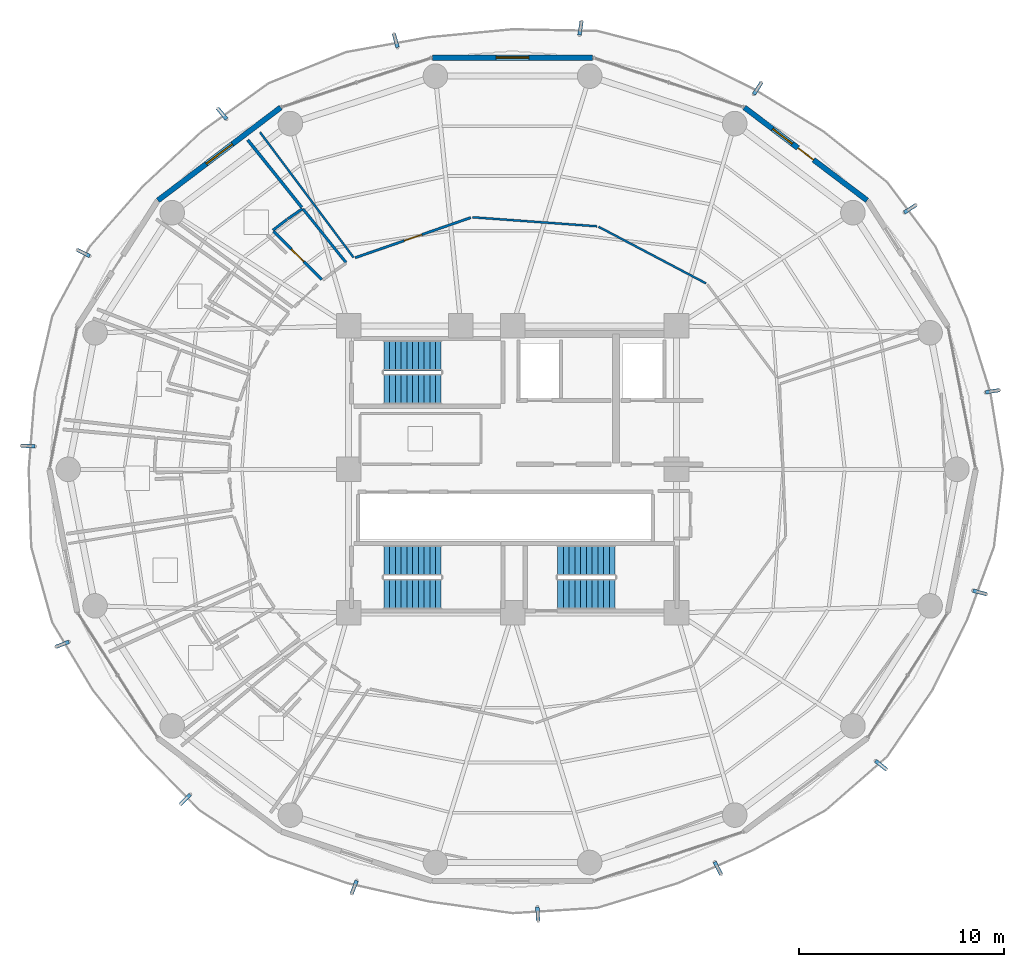
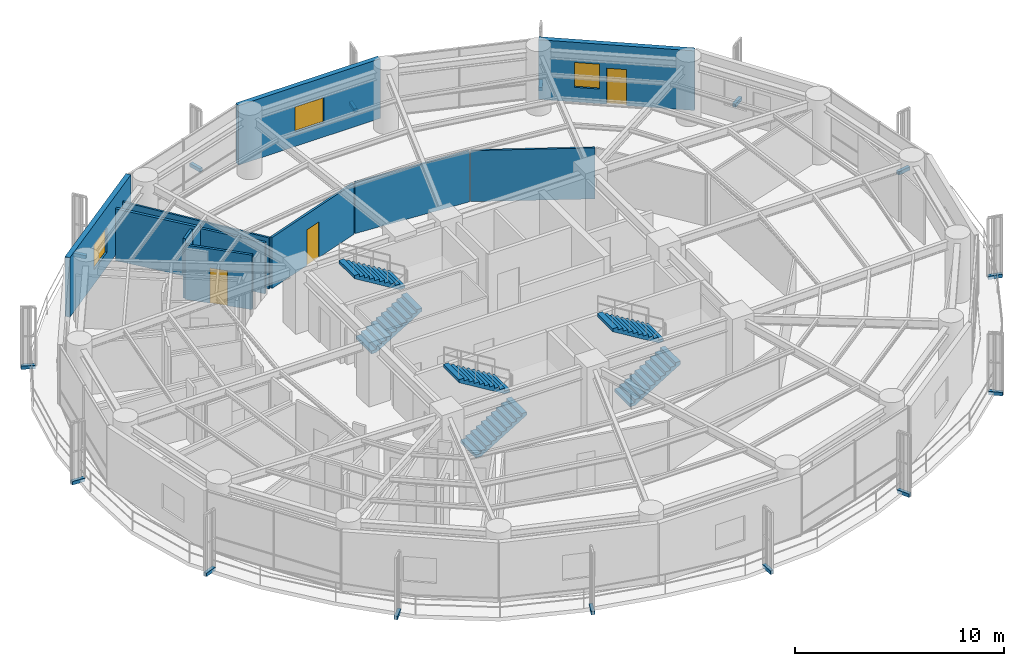
# One storey, part 24 of 27: 15 discrete accessories, 12 walls, 6 stair flights, 3 doors, 3 windows, 6 openings, 3 elements without a shape of their own.
"""IFC4 building model written with IfcOpenShell, lengths in metres."""

from ifc_helpers import new_model, si_unit, direction, frame, frame_2d, origin, origin_2d, place, context, subcontext, project, spatial, polyline, rectangle, outline, extrude, source, transform, mapped, material, layer, layer_set, type_object, element, fill, aggregate, save


model = new_model("IFC4")

# Units and contexts
model_context = context("Model", 3, precision=1e-05, world=origin(), true_north=direction((0.0, 1.0)))
body_context = subcontext(model_context, "Body", "Model", "MODEL_VIEW")
ifc_project = project(units=[si_unit("LENGTHUNIT", "METRE"), si_unit("AREAUNIT", "SQUARE_METRE"), si_unit("VOLUMEUNIT", "CUBIC_METRE"), si_unit("PLANEANGLEUNIT", "RADIAN"), si_unit("MASSUNIT", "GRAM", prefix="KILO")], contexts=[model_context])

# Site, building, storey
site_placement = place(None, origin())
site = spatial("IfcSite", under=ifc_project, at=site_placement, CompositionType="ELEMENT")
building_placement = place(site_placement, origin())
building = spatial("IfcBuilding", under=site, at=building_placement, Name="Kelanora Arch Commons", CompositionType="ELEMENT")
storey_placement = place(building_placement, frame((0.0, 0.0, 173.10009765625)))
storey = spatial("IfcBuildingStorey", under=building, at=storey_placement, Name="L44", CompositionType="ELEMENT", Elevation=173.10009765625)

# Wall
ifc_material_1 = material(Name="Autoclaved aerated concrete blockwork with fire plaster", Category="masonry")
ifc_layer_1 = layer(ifc_material_1, 0.14990234375)
ifc_layer_set_1 = layer_set([ifc_layer_1], Name="Autoclaved aerated concrete blockwork with fire plaster")
wall_type_1 = type_object("IfcWallType", Name="W-COMP-150", PredefinedType="PARTITIONING", material=ifc_layer_set_1)
wall_1_placement = place(storey_placement, frame((61.077880859375, 74.07275390625, 0.0), z_axis=(0.0, 0.0, 1.0), x_axis=(0.62540850869, -0.780297505608, 0.0)))
element("IfcWall", 1, at=wall_1_placement, inside=storey, type_object=wall_type_1, Name="Cluster Bedroom L44-01 Enclosure Partition 5", PredefinedType="PARTITIONING", context=body_context, shape_type="SweptSolid", body=[
    extrude(rectangle(XDim=4.21337890625, YDim=0.14990234375, at=frame_2d((2.106689453125, 0.0))), origin(), (0.0, 0.0, 1.0), 3.02490234375),
])

# Wall, openings, door, window
ifc_material_2 = material(Name="Precast concrete C40/50 with terracotta rainscreen", Category="masonry")
ifc_layer_2 = layer(ifc_material_2, 0.260009765625)
ifc_layer_set_2 = layer_set([ifc_layer_2], Name="Precast concrete C40/50 with terracotta rainscreen")
wall_type_2 = type_object("IfcWallType", Name="W-EXT-TC", PredefinedType="SOLIDWALL", material=ifc_layer_set_2)
wall_2_placement = place(storey_placement, frame((91.300537109375, 71.1220703125, 0.0), z_axis=(0.0, 0.0, 1.0), x_axis=(-0.797163719609, 0.603763202042, 0.0)))
wall_2 = element("IfcWall", 2, at=wall_2_placement, inside=storey, type_object=wall_type_2, Name="Terracotta Exterior Wall L44-B02", PredefinedType="SOLIDWALL", context=body_context, shape_type="SweptSolid", body=[
    extrude(rectangle(XDim=7.51220703125, YDim=0.260009765625, at=frame_2d((3.756103515625, 0.0))), origin(), (0.0, 0.0, 1.0), 3.474853515625),
])
opening_1_placement = place(wall_2_placement, frame((3.281005859375, 0.0, 0.0)))
opening_1 = element("IfcOpeningElement", 3, at=opening_1_placement, cuts=wall_2, Name="Opening DB-01", PredefinedType="OPENING", context=body_context, shape_type="SweptSolid", body=[
    extrude(rectangle(XDim=0.949951171875, YDim=2.10009765625, at=frame_2d((0.47509765625, 1.050048828125))), frame((0.0, 0.14013671875, 0.0), z_axis=(0.0, -1.0, 0.0), x_axis=(1.0, 0.0, 0.0)), (0.0, 0.0, 1.0), 0.280029296875),
])
opening_2_placement = place(wall_2_placement, frame((4.5810546875, 0.0, 0.85009765625)))
opening_2 = element("IfcOpeningElement", 4, at=opening_2_placement, cuts=wall_2, Name="Opening WN-02", PredefinedType="OPENING", context=body_context, shape_type="SweptSolid", body=[
    extrude(rectangle(XDim=1.199951171875, YDim=1.449951171875, at=frame_2d((0.60009765625, 0.72509765625))), frame((0.0, 0.14013671875, 0.0), z_axis=(0.0, -1.0, 0.0), x_axis=(1.0, 0.0, 0.0)), (0.0, 0.0, 1.0), 0.280029296875),
])
ifc_material_3 = material(Name="Terracotta-aluminium thermally broken glazed balcony door", Category="masonry")
door_type_1 = type_object("IfcDoorType", Name="D-BAL-10", OperationType="NOTDEFINED", PredefinedType="DOOR", material=ifc_material_3)
door_1_placement = place(opening_1_placement, frame((0.949951171875, 0.0, 0.0), z_axis=(0.0, 0.0, 1.0), x_axis=(-1.0, 0.0, 0.0)))
door_1 = element("IfcDoor", 5, at=door_1_placement, inside=storey, type_object=door_type_1, Name="Wave Balcony Door L44-B02", OperationType="SINGLE_SWING_LEFT", OverallHeight=2.10009765625, OverallWidth=0.949951171875, PredefinedType="DOOR", context=body_context, shape_type="SweptSolid", body=[
    extrude(rectangle(XDim=0.949951171875, YDim=2.10009765625, at=frame_2d((0.47509765625, 1.050048828125))), frame((0.0, 0.02490234375, 0.0), z_axis=(0.0, -1.0, 0.0), x_axis=(1.0, 0.0, 0.0)), (0.0, 0.0, 1.0), 0.050048828125),
])
fill(opening_1, door_1)
ifc_material_4 = material(Name="Terracotta-anodised aluminium frame with operable awning sash", Category="masonry")
window_type_1 = type_object("IfcWindowType", Name="WIN-CL-12", PartitioningType="SINGLE_PANEL", PredefinedType="WINDOW", material=ifc_material_4)
window_1_placement = place(opening_2_placement, origin())
window_1 = element("IfcWindow", 6, at=window_1_placement, inside=storey, type_object=window_type_1, Name="Co-Living Operable Window L44-B02", OverallHeight=1.449951171875, OverallWidth=1.199951171875, PartitioningType="SINGLE_PANEL", PredefinedType="WINDOW", context=body_context, shape_type="SweptSolid", body=[
    extrude(rectangle(XDim=1.199951171875, YDim=1.449951171875, at=frame_2d((0.60009765625, 0.72509765625))), frame((0.0, 0.030029296875, 0.0), z_axis=(0.0, -1.0, 0.0), x_axis=(1.0, 0.0, 0.0)), (0.0, 0.0, 1.0), 0.06005859375),
])
fill(opening_2, window_1)

# Wall, opening, window
wall_3_placement = place(storey_placement, frame((77.909423828125, 78.090087890625, 0.0), z_axis=(0.0, 0.0, 1.0), x_axis=(-1.0, 0.0, 0.0)))
wall_3 = element("IfcWall", 7, at=wall_3_placement, inside=storey, type_object=wall_type_2, Name="Terracotta Exterior Wall L44-B04", PredefinedType="SOLIDWALL", context=body_context, shape_type="SweptSolid", body=[
    extrude(rectangle(XDim=7.81884765625, YDim=0.260009765625, at=frame_2d((3.909423828125, 0.0))), origin(), (0.0, 0.0, 1.0), 3.474853515625),
])
opening_3_placement = place(wall_3_placement, frame((3.10888671875, 0.0, 0.85009765625)))
opening_3 = element("IfcOpeningElement", 8, at=opening_3_placement, cuts=wall_3, Name="Opening WN-01", PredefinedType="OPENING", context=body_context, shape_type="SweptSolid", body=[
    extrude(rectangle(XDim=1.60009765625, YDim=1.449951171875, at=frame_2d((0.800048828125, 0.72509765625))), frame((0.0, 0.14013671875, 0.0), z_axis=(0.0, -1.0, 0.0), x_axis=(1.0, 0.0, 0.0)), (0.0, 0.0, 1.0), 0.280029296875),
])
ifc_material_5 = material(Name="Terracotta-anodised aluminium frame with operable low-E glazing", Category="masonry")
window_type_2 = type_object("IfcWindowType", Name="WIN-CL-18", PartitioningType="DOUBLE_PANEL_VERTICAL", PredefinedType="WINDOW", material=ifc_material_5)
window_2_placement = place(opening_3_placement, origin())
window_2 = element("IfcWindow", 9, at=window_2_placement, inside=storey, type_object=window_type_2, Name="Co-Living Operable Window L44-B04", OverallHeight=1.449951171875, OverallWidth=1.60009765625, PartitioningType="SINGLE_PANEL", PredefinedType="WINDOW", context=body_context, shape_type="SweptSolid", body=[
    extrude(rectangle(XDim=1.60009765625, YDim=1.449951171875, at=frame_2d((0.800048828125, 0.72509765625))), frame((0.0, 0.030029296875, 0.0), z_axis=(0.0, -1.0, 0.0), x_axis=(1.0, 0.0, 0.0)), (0.0, 0.0, 1.0), 0.06005859375),
])
fill(opening_3, window_2)

wall_4_placement = place(storey_placement, frame((62.68798828125, 75.65771484375, 0.0), z_axis=(0.0, 0.0, 1.0), x_axis=(-0.797163719609, -0.603763202042, 0.0)))
wall_4 = element("IfcWall", 10, at=wall_4_placement, inside=storey, type_object=wall_type_2, Name="Terracotta Exterior Wall L44-B06", PredefinedType="SOLIDWALL", context=body_context, shape_type="SweptSolid", body=[
    extrude(rectangle(XDim=7.51220703125, YDim=0.260009765625, at=frame_2d((3.756103515625, 0.0))), origin(), (0.0, 0.0, 1.0), 3.474853515625),
])
opening_4_placement = place(wall_4_placement, frame((2.9560546875, 0.0, 0.85009765625)))
opening_4 = element("IfcOpeningElement", 11, at=opening_4_placement, cuts=wall_4, Name="Opening WN-01", PredefinedType="OPENING", context=body_context, shape_type="SweptSolid", body=[
    extrude(rectangle(XDim=1.60009765625, YDim=1.449951171875, at=frame_2d((0.800048828125, 0.72509765625))), frame((0.0, 0.14013671875, 0.0), z_axis=(0.0, -1.0, 0.0), x_axis=(1.0, 0.0, 0.0)), (0.0, 0.0, 1.0), 0.280029296875),
])
window_3_placement = place(opening_4_placement, origin())
window_3 = element("IfcWindow", 12, at=window_3_placement, inside=storey, type_object=window_type_2, Name="Co-Living Operable Window L44-B06", OverallHeight=1.449951171875, OverallWidth=1.60009765625, PartitioningType="SINGLE_PANEL", PredefinedType="WINDOW", context=body_context, shape_type="SweptSolid", body=[
    extrude(rectangle(XDim=1.60009765625, YDim=1.449951171875, at=frame_2d((0.800048828125, 0.72509765625))), frame((0.0, 0.030029296875, 0.0), z_axis=(0.0, -1.0, 0.0), x_axis=(1.0, 0.0, 0.0)), (0.0, 0.0, 1.0), 0.06005859375),
])
fill(opening_4, window_3)

# Walls
ifc_material_6 = material(Name="Lightweight fire-rated acoustic stud partition")
ifc_layer_3 = layer(ifc_material_6, 0.10009765625)
ifc_layer_set_3 = layer_set([ifc_layer_3], Name="Lightweight fire-rated acoustic stud partition")
wall_type_3 = type_object("IfcWallType", Name="W-PART-100", PredefinedType="PARTITIONING", material=ifc_layer_set_3)
wall_5_placement = place(storey_placement, frame((83.440673828125, 67.072509765625, 0.0), z_axis=(0.0, 0.0, 1.0), x_axis=(-0.884731495881, 0.466101040759, 0.0)))
element("IfcWall", 13, at=wall_5_placement, inside=storey, type_object=wall_type_3, Name="North-East Shared Cluster Kitchen L44 Enclosure Partition 2", PredefinedType="PARTITIONING", context=body_context, shape_type="SweptSolid", body=[
    extrude(rectangle(XDim=5.929931640625, YDim=0.10009765625, at=frame_2d((2.96484375, 0.0))), origin(), (0.0, 0.0, 1.0), 2.974853515625),
])
wall_6_placement = place(storey_placement, frame((78.119140625, 69.85791015625, 0.0), z_axis=(0.0, 0.0, 1.0), x_axis=(-0.997375895235, 0.072396986155, 0.0)))
element("IfcWall", 14, at=wall_6_placement, inside=storey, type_object=wall_type_3, Name="North-East Shared Cluster Kitchen L44 Enclosure Partition 3", PredefinedType="PARTITIONING", context=body_context, shape_type="SweptSolid", body=[
    extrude(rectangle(XDim=6.080078125, YDim=0.10009765625, at=frame_2d((3.0400390625, 0.0))), origin(), (0.0, 0.0, 1.0), 2.974853515625),
])
wall_7_placement = place(storey_placement, frame((66.2421875, 68.3369140625, 0.0), z_axis=(0.0, 0.0, 1.0), x_axis=(-0.598416617992, 0.801185091793, 0.0)))
element("IfcWall", 15, at=wall_7_placement, inside=storey, type_object=wall_type_3, Name="North-East Shared Cluster Kitchen L44 Enclosure Partition 5", PredefinedType="PARTITIONING", context=body_context, shape_type="SweptSolid", body=[
    extrude(rectangle(XDim=7.628662109375, YDim=0.10009765625, at=frame_2d((3.814453125, 0.0))), origin(), (0.0, 0.0, 1.0), 2.974853515625),
])

# Wall, opening, door
ifc_material_7 = material(Name="Acoustic twin-stud fire-rated gypsum partition")
ifc_layer_4 = layer(ifc_material_7, 0.1201171875)
ifc_layer_set_4 = layer_set([ifc_layer_4], Name="Acoustic twin-stud fire-rated gypsum partition")
wall_type_4 = type_object("IfcWallType", Name="W-PART-120", PredefinedType="PARTITIONING", material=ifc_layer_set_4)
wall_8_placement = place(storey_placement, frame((71.958251953125, 70.28125, 0.0), z_axis=(0.0, 0.0, 1.0), x_axis=(-0.944685464341, -0.327977702692, 0.0)))
wall_8 = element("IfcWall", 16, at=wall_8_placement, inside=storey, type_object=wall_type_4, Name="North-East Shared Cluster Kitchen L44 Entry Partition", PredefinedType="PARTITIONING", context=body_context, shape_type="SweptSolid", body=[
    extrude(rectangle(XDim=5.965576171875, YDim=0.1201171875, at=frame_2d((2.98291015625, 0.0))), origin(), (0.0, 0.0, 1.0), 2.974853515625),
])
opening_5_placement = place(wall_8_placement, frame((2.532958984375, 0.0, 0.0)))
opening_5 = element("IfcOpeningElement", 17, at=opening_5_placement, cuts=wall_8, Name="Opening D-RM1", PredefinedType="OPENING", context=body_context, shape_type="SweptSolid", body=[
    extrude(rectangle(XDim=0.89990234375, YDim=2.080078125, at=frame_2d((0.449951171875, 1.0400390625))), frame((0.0, 0.070068359375, 0.0), z_axis=(0.0, -1.0, 0.0), x_axis=(1.0, 0.0, 0.0)), (0.0, 0.0, 1.0), 0.14013671875),
])
ifc_material_8 = material(Name="Acoustic fire-rated timber study and lounge door", Category="wood")
door_type_2 = type_object("IfcDoorType", Name="D-ROOM-90", OperationType="NOTDEFINED", PredefinedType="DOOR", material=ifc_material_8)
door_2_placement = place(opening_5_placement, origin())
door_2 = element("IfcDoor", 18, at=door_2_placement, inside=storey, type_object=door_type_2, Name="North-East Shared Cluster Kitchen L44 Door", OperationType="SINGLE_SWING_LEFT", OverallHeight=2.080078125, OverallWidth=0.89990234375, PredefinedType="DOOR", context=body_context, shape_type="SweptSolid", body=[
    extrude(rectangle(XDim=0.89990234375, YDim=2.080078125, at=frame_2d((0.449951171875, 1.0400390625))), frame((0.0, 0.02490234375, 0.0), z_axis=(0.0, -1.0, 0.0), x_axis=(1.0, 0.0, 0.0)), (0.0, 0.0, 1.0), 0.050048828125),
])
fill(opening_5, door_2)

ifc_material_9 = material(Name="Moisture-resistant fire-rated cement-board plumbing wall")
ifc_layer_5 = layer(ifc_material_9, 0.1298828125)
ifc_layer_set_5 = layer_set([ifc_layer_5], Name="Moisture-resistant fire-rated cement-board plumbing wall")
wall_type_5 = type_object("IfcWallType", Name="W-WET-120", PredefinedType="PLUMBINGWALL", material=ifc_layer_set_5)
wall_9_placement = place(storey_placement, frame((64.6865234375, 67.266357421875, 0.0), z_axis=(0.0, 0.0, 1.0), x_axis=(-0.707694933746, 0.706518139011, 0.0)))
wall_9 = element("IfcWall", 19, at=wall_9_placement, inside=storey, type_object=wall_type_5, Name="En-Suite Shower WC L44-01 Entry Partition", PredefinedType="PLUMBINGWALL", context=body_context, shape_type="SweptSolid", body=[
    extrude(rectangle(XDim=3.3193359375, YDim=0.1298828125, at=frame_2d((1.65966796875, 0.0))), origin(), (0.0, 0.0, 1.0), 3.1748046875),
])
opening_6_placement = place(wall_9_placement, frame((1.22998046875, 0.0, 0.0)))
opening_6 = element("IfcOpeningElement", 20, at=opening_6_placement, cuts=wall_9, Name="Opening D-BT1", PredefinedType="OPENING", context=body_context, shape_type="SweptSolid", body=[
    extrude(rectangle(XDim=0.860107421875, YDim=2.050048828125, at=frame_2d((0.43017578125, 1.02490234375))), frame((0.0, 0.074951171875, 0.0), z_axis=(0.0, -1.0, 0.0), x_axis=(1.0, 0.0, 0.0)), (0.0, 0.0, 1.0), 0.14990234375),
])
ifc_material_10 = material(Name="Moisture-sealed fire-rated accessible bathroom door")
door_type_3 = type_object("IfcDoorType", Name="D-BATH-85", OperationType="NOTDEFINED", PredefinedType="DOOR", material=ifc_material_10)
door_3_placement = place(opening_6_placement, origin())
door_3 = element("IfcDoor", 21, at=door_3_placement, inside=storey, type_object=door_type_3, Name="En-Suite Shower WC L44-01 Door", OperationType="SINGLE_SWING_RIGHT", OverallHeight=2.050048828125, OverallWidth=0.860107421875, PredefinedType="DOOR", context=body_context, shape_type="SweptSolid", body=[
    extrude(rectangle(XDim=0.860107421875, YDim=2.050048828125, at=frame_2d((0.43017578125, 1.02490234375))), frame((0.0, 0.02490234375, 0.0), z_axis=(0.0, -1.0, 0.0), x_axis=(1.0, 0.0, 0.0)), (0.0, 0.0, 1.0), 0.050048828125),
])
fill(opening_6, door_3)

# Walls
wall_10_placement = place(storey_placement, frame((62.310791015625, 69.666259765625, 0.0), z_axis=(0.0, 0.0, 1.0), x_axis=(0.792382565467, 0.610024483069, 0.0)))
element("IfcWall", 22, at=wall_10_placement, inside=storey, type_object=wall_type_5, Name="En-Suite Shower WC L44-01 Enclosure Partition 4", PredefinedType="PLUMBINGWALL", context=body_context, shape_type="SweptSolid", body=[
    extrude(rectangle(XDim=0.86474609375, YDim=0.1298828125, at=frame_2d((0.432373046875, 0.0))), origin(), (0.0, 0.0, 1.0), 3.47998046875),
])
wall_11_placement = place(storey_placement, frame((63.028564453125, 70.21728515625, 0.0), z_axis=(0.0, 0.0, 1.0), x_axis=(0.823353055732, 0.567529510789, 0.0)))
element("IfcWall", 23, at=wall_11_placement, inside=storey, type_object=wall_type_5, Name="En-Suite Shower WC L44-01 Enclosure Partition 5", PredefinedType="PLUMBINGWALL", context=body_context, shape_type="SweptSolid", body=[
    extrude(rectangle(XDim=0.869384765625, YDim=0.1298828125, at=frame_2d((0.4345703125, 0.0))), origin(), (0.0, 0.0, 1.0), 3.1748046875),
])
wall_12_placement = place(storey_placement, frame((63.7734375, 70.706298828125, 0.0), z_axis=(0.0, 0.0, 1.0), x_axis=(0.625916574892, -0.779890018704, 0.0)))
element("IfcWall", 24, at=wall_12_placement, inside=storey, type_object=wall_type_5, Name="En-Suite Shower WC L44-01 Enclosure Partition 6", PredefinedType="PLUMBINGWALL", context=body_context, shape_type="SweptSolid", body=[
    extrude(rectangle(XDim=3.361572265625, YDim=0.1298828125, at=frame_2d((1.6806640625, 0.0))), origin(), (0.0, 0.0, 1.0), 2.974853515625),
])

# Stair, stair flights
ifc_material_11 = material(Name="Concrete C40/50", Category="concrete")
stair_type = type_object("IfcStairType", Name="STR-DL-375", PredefinedType="HALF_TURN_STAIR", material=ifc_material_11)
stair_1_placement = place(storey_placement, origin())
stair_1 = element("IfcStair", 25, at=stair_1_placement, inside=storey, type_object=stair_type, Name="L44 ST-T1", PredefinedType="HALF_TURN_STAIR")
stair_flight_type = type_object("IfcStairFlightType", Name="FLT-DL-375", PredefinedType="STRAIGHT", material=ifc_material_11)
stair_flight_1_placement = place(storey_placement, frame((67.719970703125, 61.919921875, 0.0), z_axis=(0.0, 0.0, 1.0), x_axis=(1.0, 0.0, 0.0)))
stair_flight_1 = element("IfcStairFlight", 26, at=stair_flight_1_placement, type_object=stair_flight_type, Name="ST-T1 flight 1", NumberOfRisers=11, NumberOfTreads=10, PredefinedType="STRAIGHT", RiserHeight=0.170454545, TreadLength=0.28, context=body_context, shape_type="SweptSolid", body=[
    extrude(outline(polyline([(0.0, 0.0), (0.0, 0.17041015625), (0.280029296875, 0.17041015625), (0.280029296875, 0.3408203125), (0.56005859375, 0.3408203125), (0.56005859375, 0.511474609375), (0.840087890625, 0.511474609375), (0.840087890625, 0.681884765625), (1.1201171875, 0.681884765625), (1.1201171875, 0.852294921875), (1.39990234375, 0.852294921875), (1.39990234375, 1.022705078125), (1.679931640625, 1.022705078125), (1.679931640625, 1.193115234375), (1.9599609375, 1.193115234375), (1.9599609375, 1.363525390625), (2.239990234375, 1.363525390625), (2.239990234375, 1.5341796875), (2.52001953125, 1.5341796875), (2.52001953125, 1.70458984375), (2.800048828125, 1.70458984375), (2.800048828125, 1.875), (2.800048828125, 1.529052734375), (0.288330078125, 0.0), (0.0, 0.0)])), frame((0.0, 0.739990234375, 0.0), z_axis=(0.0, -1.0, 0.0), x_axis=(1.0, 0.0, 0.0)), (0.0, 0.0, 1.0), 1.47998046875),
])
stair_flight_2_placement = place(storey_placement, frame((70.52001953125, 63.550048828125, 1.875), z_axis=(0.0, 0.0, 1.0), x_axis=(-1.0, 0.0, 0.0)))
stair_flight_2 = element("IfcStairFlight", 27, at=stair_flight_2_placement, type_object=stair_flight_type, Name="ST-T1 flight 2", NumberOfRisers=11, NumberOfTreads=10, PredefinedType="STRAIGHT", RiserHeight=0.170454545, TreadLength=0.28, context=body_context, shape_type="SweptSolid", body=[
    extrude(outline(polyline([(0.0, 0.0), (0.0, 0.17041015625), (0.280029296875, 0.17041015625), (0.280029296875, 0.3408203125), (0.56005859375, 0.3408203125), (0.56005859375, 0.511474609375), (0.840087890625, 0.511474609375), (0.840087890625, 0.681884765625), (1.1201171875, 0.681884765625), (1.1201171875, 0.852294921875), (1.39990234375, 0.852294921875), (1.39990234375, 1.022705078125), (1.679931640625, 1.022705078125), (1.679931640625, 1.193115234375), (1.9599609375, 1.193115234375), (1.9599609375, 1.363525390625), (2.239990234375, 1.363525390625), (2.239990234375, 1.5341796875), (2.52001953125, 1.5341796875), (2.52001953125, 1.70458984375), (2.800048828125, 1.70458984375), (2.800048828125, 1.875), (2.800048828125, 1.529052734375), (0.288330078125, 0.0), (0.0, 0.0)])), frame((0.0, 0.739990234375, 0.0), z_axis=(0.0, -1.0, 0.0), x_axis=(1.0, 0.0, 0.0)), (0.0, 0.0, 1.0), 1.47998046875),
])
aggregate(stair_1, [stair_flight_1, stair_flight_2])

stair_2_placement = place(storey_placement, origin())
stair_2 = element("IfcStair", 28, at=stair_2_placement, inside=storey, type_object=stair_type, Name="L44 ST-T2", PredefinedType="HALF_TURN_STAIR")
stair_flight_3_placement = place(storey_placement, frame((76.199951171875, 51.919921875, 0.0), z_axis=(0.0, 0.0, 1.0), x_axis=(1.0, 0.0, 0.0)))
stair_flight_3 = element("IfcStairFlight", 29, at=stair_flight_3_placement, type_object=stair_flight_type, Name="ST-T2 flight 1", NumberOfRisers=11, NumberOfTreads=10, PredefinedType="STRAIGHT", RiserHeight=0.170454545, TreadLength=0.28, context=body_context, shape_type="SweptSolid", body=[
    extrude(outline(polyline([(0.0, 0.0), (0.0, 0.17041015625), (0.280029296875, 0.17041015625), (0.280029296875, 0.3408203125), (0.56005859375, 0.3408203125), (0.56005859375, 0.511474609375), (0.840087890625, 0.511474609375), (0.840087890625, 0.681884765625), (1.1201171875, 0.681884765625), (1.1201171875, 0.852294921875), (1.39990234375, 0.852294921875), (1.39990234375, 1.022705078125), (1.679931640625, 1.022705078125), (1.679931640625, 1.193115234375), (1.9599609375, 1.193115234375), (1.9599609375, 1.363525390625), (2.239990234375, 1.363525390625), (2.239990234375, 1.5341796875), (2.52001953125, 1.5341796875), (2.52001953125, 1.70458984375), (2.800048828125, 1.70458984375), (2.800048828125, 1.875), (2.800048828125, 1.529052734375), (0.288330078125, 0.0), (0.0, 0.0)])), frame((0.0, 0.739990234375, 0.0), z_axis=(0.0, -1.0, 0.0), x_axis=(1.0, 0.0, 0.0)), (0.0, 0.0, 1.0), 1.47998046875),
])
stair_flight_4_placement = place(storey_placement, frame((79.0, 53.550048828125, 1.875), z_axis=(0.0, 0.0, 1.0), x_axis=(-1.0, 0.0, 0.0)))
stair_flight_4 = element("IfcStairFlight", 30, at=stair_flight_4_placement, type_object=stair_flight_type, Name="ST-T2 flight 2", NumberOfRisers=11, NumberOfTreads=10, PredefinedType="STRAIGHT", RiserHeight=0.170454545, TreadLength=0.28, context=body_context, shape_type="SweptSolid", body=[
    extrude(outline(polyline([(0.0, 0.0), (0.0, 0.17041015625), (0.280029296875, 0.17041015625), (0.280029296875, 0.3408203125), (0.56005859375, 0.3408203125), (0.56005859375, 0.511474609375), (0.840087890625, 0.511474609375), (0.840087890625, 0.681884765625), (1.1201171875, 0.681884765625), (1.1201171875, 0.852294921875), (1.39990234375, 0.852294921875), (1.39990234375, 1.022705078125), (1.679931640625, 1.022705078125), (1.679931640625, 1.193115234375), (1.9599609375, 1.193115234375), (1.9599609375, 1.363525390625), (2.239990234375, 1.363525390625), (2.239990234375, 1.5341796875), (2.52001953125, 1.5341796875), (2.52001953125, 1.70458984375), (2.800048828125, 1.70458984375), (2.800048828125, 1.875), (2.800048828125, 1.529052734375), (0.288330078125, 0.0), (0.0, 0.0)])), frame((0.0, 0.739990234375, 0.0), z_axis=(0.0, -1.0, 0.0), x_axis=(1.0, 0.0, 0.0)), (0.0, 0.0, 1.0), 1.47998046875),
])
aggregate(stair_2, [stair_flight_3, stair_flight_4])

stair_3_placement = place(storey_placement, origin())
stair_3 = element("IfcStair", 31, at=stair_3_placement, inside=storey, type_object=stair_type, Name="L44 ST-T3", PredefinedType="HALF_TURN_STAIR")
stair_flight_5_placement = place(storey_placement, frame((67.719970703125, 51.919921875, 0.0), z_axis=(0.0, 0.0, 1.0), x_axis=(1.0, 0.0, 0.0)))
stair_flight_5 = element("IfcStairFlight", 32, at=stair_flight_5_placement, type_object=stair_flight_type, Name="ST-T3 flight 1", NumberOfRisers=11, NumberOfTreads=10, PredefinedType="STRAIGHT", RiserHeight=0.170454545, TreadLength=0.28, context=body_context, shape_type="SweptSolid", body=[
    extrude(outline(polyline([(0.0, 0.0), (0.0, 0.17041015625), (0.280029296875, 0.17041015625), (0.280029296875, 0.3408203125), (0.56005859375, 0.3408203125), (0.56005859375, 0.511474609375), (0.840087890625, 0.511474609375), (0.840087890625, 0.681884765625), (1.1201171875, 0.681884765625), (1.1201171875, 0.852294921875), (1.39990234375, 0.852294921875), (1.39990234375, 1.022705078125), (1.679931640625, 1.022705078125), (1.679931640625, 1.193115234375), (1.9599609375, 1.193115234375), (1.9599609375, 1.363525390625), (2.239990234375, 1.363525390625), (2.239990234375, 1.5341796875), (2.52001953125, 1.5341796875), (2.52001953125, 1.70458984375), (2.800048828125, 1.70458984375), (2.800048828125, 1.875), (2.800048828125, 1.529052734375), (0.288330078125, 0.0), (0.0, 0.0)])), frame((0.0, 0.739990234375, 0.0), z_axis=(0.0, -1.0, 0.0), x_axis=(1.0, 0.0, 0.0)), (0.0, 0.0, 1.0), 1.47998046875),
])
stair_flight_6_placement = place(storey_placement, frame((70.52001953125, 53.550048828125, 1.875), z_axis=(0.0, 0.0, 1.0), x_axis=(-1.0, 0.0, 0.0)))
stair_flight_6 = element("IfcStairFlight", 33, at=stair_flight_6_placement, type_object=stair_flight_type, Name="ST-T3 flight 2", NumberOfRisers=11, NumberOfTreads=10, PredefinedType="STRAIGHT", RiserHeight=0.170454545, TreadLength=0.28, context=body_context, shape_type="SweptSolid", body=[
    extrude(outline(polyline([(0.0, 0.0), (0.0, 0.17041015625), (0.280029296875, 0.17041015625), (0.280029296875, 0.3408203125), (0.56005859375, 0.3408203125), (0.56005859375, 0.511474609375), (0.840087890625, 0.511474609375), (0.840087890625, 0.681884765625), (1.1201171875, 0.681884765625), (1.1201171875, 0.852294921875), (1.39990234375, 0.852294921875), (1.39990234375, 1.022705078125), (1.679931640625, 1.022705078125), (1.679931640625, 1.193115234375), (1.9599609375, 1.193115234375), (1.9599609375, 1.363525390625), (2.239990234375, 1.363525390625), (2.239990234375, 1.5341796875), (2.52001953125, 1.5341796875), (2.52001953125, 1.70458984375), (2.800048828125, 1.70458984375), (2.800048828125, 1.875), (2.800048828125, 1.529052734375), (0.288330078125, 0.0), (0.0, 0.0)])), frame((0.0, 0.739990234375, 0.0), z_axis=(0.0, -1.0, 0.0), x_axis=(1.0, 0.0, 0.0)), (0.0, 0.0, 1.0), 1.47998046875),
])
aggregate(stair_3, [stair_flight_5, stair_flight_6])

# Discrete accessories
ifc_material_12 = material(Name="Stainless steel 316 marine fin bracket", Category="steel")
discrete_accessory_type = type_object("IfcDiscreteAccessoryType", Name="ACC-FIN-BRK", PredefinedType="BRACKET", material=ifc_material_12)
shared_shape = source(origin(), body_context, "Body", "SweptSolid", [
    extrude(rectangle(XDim=0.689697265625, YDim=0.179931640625, at=origin_2d()), origin(), (0.0, 0.0, 1.0), 0.199951171875),
])
for number, where, z_axis, x_axis, name in (
    (34, (96.79931640625, 51.994140625, -0.16015625), (0.0, 0.0, 1.0), (0.967001487762, -0.254770725683, 0.0), "Sweeping Fin Cantilever Spine Bracket L44-00"),
    (35, (97.419189453125, 61.810791015625, -0.16015625), (0.0, 0.0, 1.0), (0.987024406397, 0.160570299793, 0.0), "Sweeping Fin Cantilever Spine Bracket L44-01"),
    (36, (93.402587890625, 70.717041015625, -0.16015625), (0.0, 0.0, 1.0), (0.836381838331, 0.548147261701, 0.0), "Sweeping Fin Cantilever Spine Bracket L44-02"),
    (37, (85.95947265625, 76.58740234375, -0.16015625), (0.0, 0.0, 1.0), (0.541121252127, 0.840944582298, 0.0), "Sweeping Fin Cantilever Spine Bracket L44-03"),
    (38, (77.317138671875, 79.53173828125, -0.16015625), (0.0, 0.0, 1.0), (0.152295885498, 0.988334944875, 0.0), "Sweeping Fin Cantilever Spine Bracket L44-04"),
    (39, (68.2998046875, 78.920166015625, -0.16015625), (0.0, 0.0, 1.0), (-0.262862823299, 0.964833216741, 0.0), "Sweeping Fin Cantilever Spine Bracket L44-05"),
    (40, (59.823974609375, 75.35546875, -0.16015625), (0.0, 0.0, 1.0), (-0.632570161913, 0.774503060199, 0.0), "Sweeping Fin Cantilever Spine Bracket L44-06"),
    (41, (53.060791015625, 68.557861328125, -0.16015625), (0.0, 0.0, 1.0), (-0.892900372813, 0.450254288408, 0.0), "Sweeping Fin Cantilever Spine Bracket L44-07"),
    (42, (50.35888671875, 59.138916015625, -0.16015625), (0.0, 0.0, 1.0), (-0.998839997509, 0.04815245972, 0.0), "Sweeping Fin Cantilever Spine Bracket L44-08"),
    (43, (52.03662109375, 49.46240234375, -0.16015625), (0.0, 0.0, 1.0), (-0.932071112458, -0.362275366705, 0.0), "Sweeping Fin Cantilever Spine Bracket L44-09"),
    (44, (58.031982421875, 41.896484375, -0.16015625), (0.0, 0.0, 1.0), (-0.704138664464, -0.710062491058, 0.0), "Sweeping Fin Cantilever Spine Bracket L44-10"),
    (45, (66.271240234375, 37.60888671875, -0.16015625), (0.0, 0.0, 1.0), (-0.354454244484, -0.935073359992, 0.0), "Sweeping Fin Cantilever Spine Bracket L44-11"),
    (46, (75.229248046875, 36.30029296875, -0.16015625), (0.0, 0.0, 1.0), (0.056518534482, -0.998401550109, 0.0), "Sweeping Fin Cantilever Spine Bracket L44-12"),
    (47, (84.020751953125, 38.53662109375, -0.16015625), (0.0, 0.0, 1.0), (0.457718745382, -0.889097042019, 0.0), "Sweeping Fin Cantilever Spine Bracket L44-13"),
    (48, (91.980224609375, 43.565185546875, -0.16015625), (0.0, 0.0, 1.0), (0.779775226961, -0.62605957817, 0.0), "Sweeping Fin Cantilever Spine Bracket L44-14"),
):
    element("IfcDiscreteAccessory", number, at=place(storey_placement, frame(where, z_axis=z_axis, x_axis=x_axis)), inside=storey, type_object=discrete_accessory_type, Name=name, PredefinedType="BRACKET", context=body_context, shape_type="MappedRepresentation", body=[
        mapped(shared_shape, transform((0.0, 0.0, 0.0), scale=1.0)),
    ])

save(model, "model.ifc")
